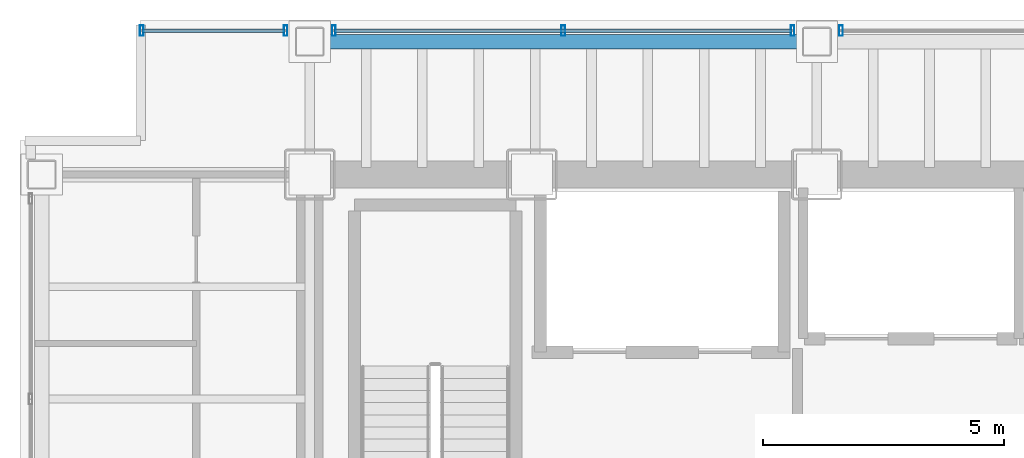
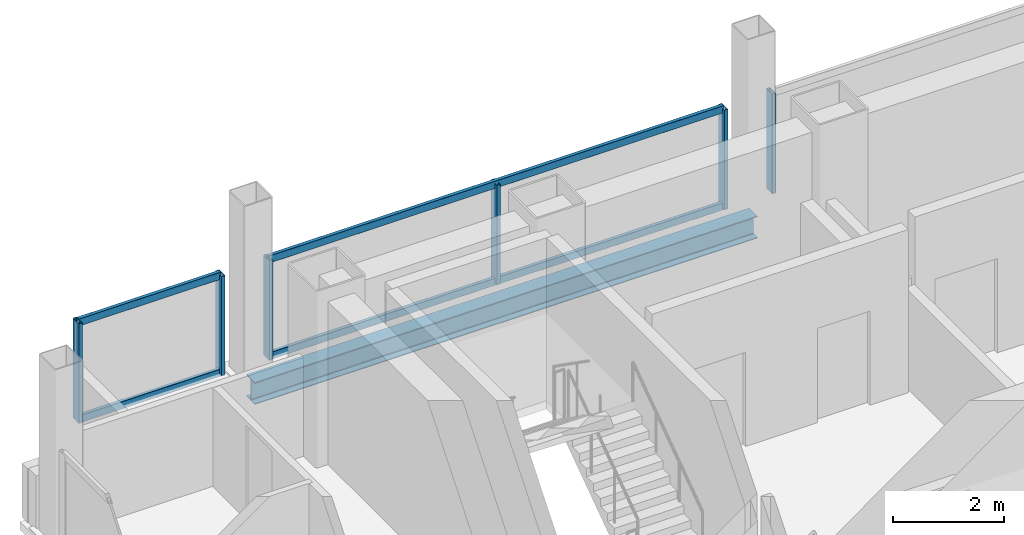
# One storey, part 14 of 21: 10 members, 1 beam, 3 elements without a shape of their own.
"""IFC4 building model written with IfcOpenShell, lengths in metres."""

from ifc_helpers import new_model, si_unit, direction, frame, origin, origin_2d, place, context, subcontext, project, spatial, hollow_rectangle, i_section, extrude, material, material_profile, profile_set, type_object, element, aggregate, save


model = new_model("IFC4")

# Units and contexts
model_context = context("Model", 3, precision=1e-05, world=origin(), true_north=direction((0.0, 1.0)))
body_context = subcontext(model_context, "Body", "Model", "MODEL_VIEW")
ifc_project = project(units=[si_unit("LENGTHUNIT", "METRE"), si_unit("AREAUNIT", "SQUARE_METRE"), si_unit("VOLUMEUNIT", "CUBIC_METRE"), si_unit("PLANEANGLEUNIT", "RADIAN"), si_unit("MASSUNIT", "GRAM", prefix="KILO")], contexts=[model_context])

# Site, building, storey
site_placement = place(None, origin())
site = spatial("IfcSite", under=ifc_project, at=site_placement, CompositionType="ELEMENT")
building_placement = place(site_placement, origin())
building = spatial("IfcBuilding", under=site, at=building_placement, Name="Noeulbin Bourse Tower", CompositionType="ELEMENT")
storey_placement = place(building_placement, frame((0.0, 0.0, 96.699951171875)))
storey = spatial("IfcBuildingStorey", under=building, at=storey_placement, Name="L24", CompositionType="ELEMENT", Elevation=96.699951171875)

# Beam
ifc_material_1 = material(Name="Steel S355", Category="steel")
ifc_material_profile_1 = material_profile(ifc_material_1, i_section(OverallWidth=0.300048828125, OverallDepth=0.488037109375, WebThickness=0.010986328125, FlangeThickness=0.01806640625, FilletRadius=0.02197265625, at=origin_2d()), Name="H-488x300x11x18", Category="LoadBearing")
ifc_profile_set_1 = profile_set([ifc_material_profile_1], Name="Steel S355")
beam_type = type_object("IfcBeamType", Name="BM-SPN-488", PredefinedType="SPANDREL", material=ifc_profile_set_1)
beam_placement = place(storey_placement, frame((13.5, 41.050048828125, -0.424072265625), z_axis=(1.0, 0.0, 0.0), x_axis=(0.0, 1.0, 0.0)))
element("IfcBeam", 1, at=beam_placement, inside=storey, type_object=beam_type, Name="North Spandrel L24-1", PredefinedType="SPANDREL", context=body_context, shape_type="SweptSolid", body=[
    extrude(i_section(OverallWidth=0.300048828125, OverallDepth=0.488037109375, WebThickness=0.010986328125, FlangeThickness=0.01806640625, FilletRadius=0.02197265625, at=origin_2d()), origin(), (0.0, 0.0, 1.0), 10.5),
])

# Curtain wall, members
ifc_material_2 = material(Name="Dark Solar-Control Double Glazing", Category="glass")
curtain_wall_type = type_object("IfcCurtainWallType", Name="CW-SYS-2", PredefinedType="NOTDEFINED", material=ifc_material_2)
curtain_wall_1_placement = place(storey_placement, origin())
curtain_wall_1 = element("IfcCurtainWall", 2, at=curtain_wall_1_placement, inside=storey, type_object=curtain_wall_type, Name="Unitised Curtain Wall CW-L24-N-S1", PredefinedType="NOTDEFINED")
ifc_material_3 = material(Name="Anodised Aluminium 6063-T6", Category="aluminium")
ifc_material_profile_2 = material_profile(ifc_material_3, hollow_rectangle(XDim=0.074951171875, YDim=0.219970703125, WallThickness=0.0048828125, InnerFilletRadius=0.00244140625, OuterFilletRadius=0.0048828125, at=origin_2d()), Name="ALU-MULL-75x220x5", Category="LoadBearing")
ifc_profile_set_2 = profile_set([ifc_material_profile_2], Name="Anodised Aluminium 6063-T6")
member_type_1 = type_object("IfcMemberType", Name="CW-SYS-2-MUL", PredefinedType="MULLION", material=ifc_profile_set_2)
member_1_placement = place(storey_placement, frame((10.02001953125, 41.280029296875, -0.02001953125), z_axis=(0.0, 0.0, 1.0), x_axis=(1.0, 0.0, 0.0)))
member_1 = element("IfcMember", 3, at=member_1_placement, type_object=member_type_1, Name="Curtain Wall Mullion CW-L24-N-S1-M00", PredefinedType="MULLION", context=body_context, shape_type="SweptSolid", body=[
    extrude(hollow_rectangle(XDim=0.074951171875, YDim=0.219970703125, WallThickness=0.0048828125, InnerFilletRadius=0.00244140625, OuterFilletRadius=0.0048828125, at=origin_2d()), origin(), (0.0, 0.0, 1.0), 2.199951171875),
])
member_2_placement = place(storey_placement, frame((13.0, 41.280029296875, -0.02001953125), z_axis=(0.0, 0.0, 1.0), x_axis=(1.0, 0.0, 0.0)))
member_2 = element("IfcMember", 4, at=member_2_placement, type_object=member_type_1, Name="Curtain Wall Mullion CW-L24-N-S1-M01", PredefinedType="MULLION", context=body_context, shape_type="SweptSolid", body=[
    extrude(hollow_rectangle(XDim=0.074951171875, YDim=0.219970703125, WallThickness=0.0048828125, InnerFilletRadius=0.00244140625, OuterFilletRadius=0.0048828125, at=origin_2d()), origin(), (0.0, 0.0, 1.0), 2.199951171875),
])

curtain_wall_2_placement = place(storey_placement, origin())
curtain_wall_2 = element("IfcCurtainWall", 5, at=curtain_wall_2_placement, inside=storey, type_object=curtain_wall_type, Name="Unitised Curtain Wall CW-L24-N-S2", PredefinedType="NOTDEFINED")
member_3_placement = place(storey_placement, frame((14.0, 41.280029296875, -0.02001953125), z_axis=(0.0, 0.0, 1.0), x_axis=(1.0, 0.0, 0.0)))
member_3 = element("IfcMember", 6, at=member_3_placement, type_object=member_type_1, Name="Curtain Wall Mullion CW-L24-N-S2-M00", PredefinedType="MULLION", context=body_context, shape_type="SweptSolid", body=[
    extrude(hollow_rectangle(XDim=0.074951171875, YDim=0.219970703125, WallThickness=0.0048828125, InnerFilletRadius=0.00244140625, OuterFilletRadius=0.0048828125, at=origin_2d()), origin(), (0.0, 0.0, 1.0), 2.199951171875),
])
member_4_placement = place(storey_placement, frame((18.75, 41.280029296875, -0.02001953125), z_axis=(0.0, 0.0, 1.0), x_axis=(1.0, 0.0, 0.0)))
member_4 = element("IfcMember", 7, at=member_4_placement, type_object=member_type_1, Name="Curtain Wall Mullion CW-L24-N-S2-M01", PredefinedType="MULLION", context=body_context, shape_type="SweptSolid", body=[
    extrude(hollow_rectangle(XDim=0.074951171875, YDim=0.219970703125, WallThickness=0.0048828125, InnerFilletRadius=0.00244140625, OuterFilletRadius=0.0048828125, at=origin_2d()), origin(), (0.0, 0.0, 1.0), 2.199951171875),
])
member_5_placement = place(storey_placement, frame((23.5, 41.280029296875, -0.02001953125), z_axis=(0.0, 0.0, 1.0), x_axis=(1.0, 0.0, 0.0)))
member_5 = element("IfcMember", 8, at=member_5_placement, type_object=member_type_1, Name="Curtain Wall Mullion CW-L24-N-S2-M02", PredefinedType="MULLION", context=body_context, shape_type="SweptSolid", body=[
    extrude(hollow_rectangle(XDim=0.074951171875, YDim=0.219970703125, WallThickness=0.0048828125, InnerFilletRadius=0.00244140625, OuterFilletRadius=0.0048828125, at=origin_2d()), origin(), (0.0, 0.0, 1.0), 2.199951171875),
])

# Curtain wall, member
curtain_wall_3_placement = place(storey_placement, origin())
curtain_wall_3 = element("IfcCurtainWall", 9, at=curtain_wall_3_placement, inside=storey, type_object=curtain_wall_type, Name="Unitised Curtain Wall CW-L24-N-S3", PredefinedType="NOTDEFINED")
member_6_placement = place(storey_placement, frame((24.5, 41.280029296875, -0.02001953125), z_axis=(0.0, 0.0, 1.0), x_axis=(1.0, 0.0, 0.0)))
member_6 = element("IfcMember", 10, at=member_6_placement, type_object=member_type_1, Name="Curtain Wall Mullion CW-L24-N-S3-M00", PredefinedType="MULLION", context=body_context, shape_type="SweptSolid", body=[
    extrude(hollow_rectangle(XDim=0.074951171875, YDim=0.219970703125, WallThickness=0.0048828125, InnerFilletRadius=0.00244140625, OuterFilletRadius=0.0048828125, at=origin_2d()), origin(), (0.0, 0.0, 1.0), 2.199951171875),
])
aggregate(curtain_wall_3, [member_6])

# Member
ifc_material_profile_3 = material_profile(ifc_material_3, hollow_rectangle(XDim=0.074951171875, YDim=0.159912109375, WallThickness=0.0048828125, InnerFilletRadius=0.00244140625, OuterFilletRadius=0.0048828125, at=origin_2d()), Name="ALU-TRAN-75x160x5", Category="LoadBearing")
ifc_profile_set_3 = profile_set([ifc_material_profile_3], Name="Anodised Aluminium 6063-T6")
member_type_2 = type_object("IfcMemberType", Name="CW-SYS-2-TRN", PredefinedType="USERDEFINED", material=ifc_profile_set_3)
member_7_placement = place(storey_placement, frame((10.030029296875, 41.280029296875, 0.010009765625), z_axis=(1.0, 0.0, 0.0), x_axis=(0.0, 1.0, 0.0)))
member_7 = element("IfcMember", 11, at=member_7_placement, type_object=member_type_2, Name="Curtain Wall Transom CW-L24-N-S1-T00", ObjectType="TRANSOM", PredefinedType="USERDEFINED", context=body_context, shape_type="SweptSolid", body=[
    extrude(hollow_rectangle(XDim=0.074951171875, YDim=0.159912109375, WallThickness=0.0048828125, InnerFilletRadius=0.00244140625, OuterFilletRadius=0.0048828125, at=origin_2d()), origin(), (0.0, 0.0, 1.0), 2.9599609375),
])

member_8_placement = place(storey_placement, frame((10.030029296875, 41.280029296875, 2.150146484375), z_axis=(1.0, 0.0, 0.0), x_axis=(0.0, 1.0, 0.0)))
member_8 = element("IfcMember", 12, at=member_8_placement, type_object=member_type_2, Name="Curtain Wall Transom CW-L24-N-S1-T01", ObjectType="TRANSOM", PredefinedType="USERDEFINED", context=body_context, shape_type="SweptSolid", body=[
    extrude(hollow_rectangle(XDim=0.074951171875, YDim=0.159912109375, WallThickness=0.0048828125, InnerFilletRadius=0.00244140625, OuterFilletRadius=0.0048828125, at=origin_2d()), origin(), (0.0, 0.0, 1.0), 2.9599609375),
])

aggregate(curtain_wall_1, [member_1, member_2, member_7, member_8])

member_9_placement = place(storey_placement, frame((14.010009765625, 41.280029296875, 0.010009765625), z_axis=(1.0, 0.0, 0.0), x_axis=(0.0, 1.0, 0.0)))
member_9 = element("IfcMember", 13, at=member_9_placement, type_object=member_type_2, Name="Curtain Wall Transom CW-L24-N-S2-T00", ObjectType="TRANSOM", PredefinedType="USERDEFINED", context=body_context, shape_type="SweptSolid", body=[
    extrude(hollow_rectangle(XDim=0.074951171875, YDim=0.159912109375, WallThickness=0.0048828125, InnerFilletRadius=0.00244140625, OuterFilletRadius=0.0048828125, at=origin_2d()), origin(), (0.0, 0.0, 1.0), 9.47998046875),
])

member_10_placement = place(storey_placement, frame((14.010009765625, 41.280029296875, 2.150146484375), z_axis=(1.0, 0.0, 0.0), x_axis=(0.0, 1.0, 0.0)))
member_10 = element("IfcMember", 14, at=member_10_placement, type_object=member_type_2, Name="Curtain Wall Transom CW-L24-N-S2-T01", ObjectType="TRANSOM", PredefinedType="USERDEFINED", context=body_context, shape_type="SweptSolid", body=[
    extrude(hollow_rectangle(XDim=0.074951171875, YDim=0.159912109375, WallThickness=0.0048828125, InnerFilletRadius=0.00244140625, OuterFilletRadius=0.0048828125, at=origin_2d()), origin(), (0.0, 0.0, 1.0), 9.47998046875),
])

aggregate(curtain_wall_2, [member_3, member_4, member_5, member_9, member_10])

save(model, "model.ifc")
